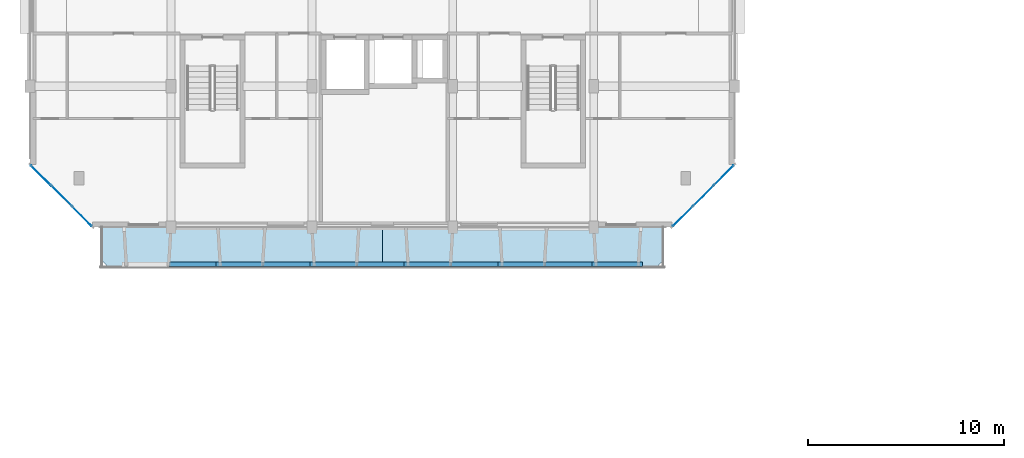
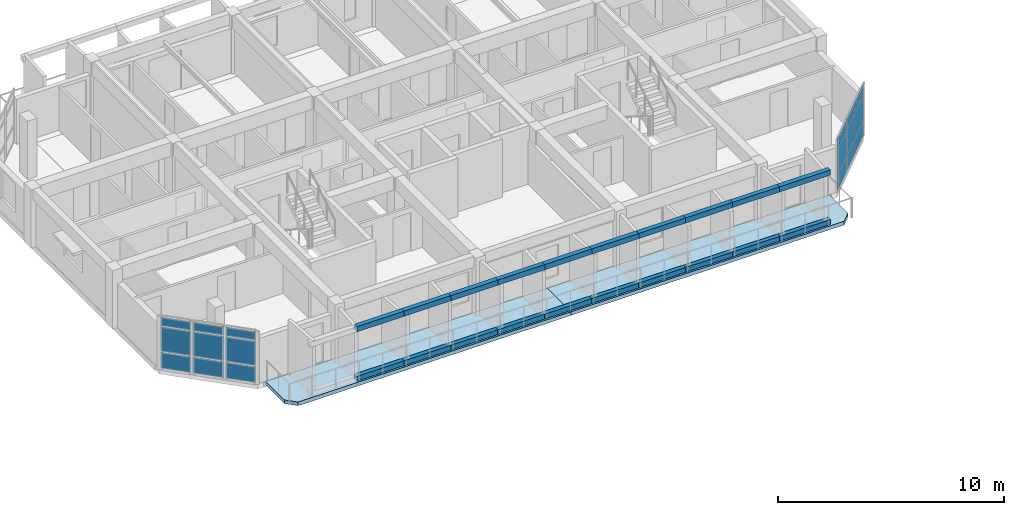
# One storey, part 19 of 64: 38 plates, 2 slabs, 2 elements without a shape of their own.
"""IFC4 building model written with IfcOpenShell, lengths in metres."""

from ifc_helpers import new_model, si_unit, direction, frame, origin, origin_2d, place, context, subcontext, project, spatial, polyline, rectangle, outline, extrude, material, layer, layer_set, type_object, element, aggregate, save


model = new_model("IFC4")

# Units and contexts
model_context = context("Model", 3, precision=1e-05, world=origin(), true_north=direction((0.0, 1.0)))
body_context = subcontext(model_context, "Body", "Model", "MODEL_VIEW")
ifc_project = project(units=[si_unit("LENGTHUNIT", "METRE"), si_unit("AREAUNIT", "SQUARE_METRE"), si_unit("VOLUMEUNIT", "CUBIC_METRE"), si_unit("PLANEANGLEUNIT", "RADIAN"), si_unit("MASSUNIT", "GRAM", prefix="KILO")], contexts=[model_context])

# Site, building, storey
site_placement = place(None, origin())
site = spatial("IfcSite", under=ifc_project, at=site_placement, CompositionType="ELEMENT")
building_placement = place(site_placement, origin())
building = spatial("IfcBuilding", under=site, at=building_placement, Name="Ochrevale Crest", CompositionType="ELEMENT")
storey_placement = place(building_placement, frame((0.0, 0.0, 8.699951171875)))
storey = spatial("IfcBuildingStorey", under=building, at=storey_placement, Name="L02", CompositionType="ELEMENT", Elevation=8.699951171875)

# Curtain wall, plates
ifc_material_1 = material(Name="Anodised aluminium 6063-T5", Category="aluminium")
ifc_layer_1 = layer(ifc_material_1, 0.14990234375)
ifc_layer_set_1 = layer_set([ifc_layer_1], Name="Anodised aluminium 6063-T5")
curtain_wall_type_1 = type_object("IfcCurtainWallType", Name="CW-WG-420x285", PredefinedType="NOTDEFINED", material=ifc_layer_set_1)
curtain_wall_1_placement = place(storey_placement, origin())
curtain_wall_1 = element("IfcCurtainWall", 1, at=curtain_wall_1_placement, inside=storey, type_object=curtain_wall_type_1, Name="Block B L02 chamfered corner wintergarden curtain wall 2", PredefinedType="NOTDEFINED")
ifc_material_2 = material(Name="Double-glazed low-E insulated glass unit", Category="glass")
ifc_layer_2 = layer(ifc_material_2, 0.028076171875)
ifc_layer_set_2 = layer_set([ifc_layer_2], Name="Double-glazed low-E insulated glass unit")
plate_type_1 = type_object("IfcPlateType", Name="CW-PNL-IGU28", PredefinedType="CURTAIN_PANEL", material=ifc_layer_set_2)
plate_1_placement = place(storey_placement, frame((33.3466796875, 72.546630859375, 0.06005859375), z_axis=(0.0, 0.0, 1.0), x_axis=(0.707106781187, 0.707106781187, 0.0)))
plate_1 = element("IfcPlate", 2, at=plate_1_placement, type_object=plate_type_1, Name="CW22 panel 1.1", PredefinedType="CURTAIN_PANEL", context=body_context, shape_type="SweptSolid", body=[
    extrude(rectangle(XDim=1.39599609375, YDim=0.028076171875, at=origin_2d()), origin(), (0.0, 0.0, 1.0), 0.860107421875),
])
plate_2_placement = place(storey_placement, frame((33.3466796875, 72.546630859375, 0.97998046875), z_axis=(0.0, 0.0, 1.0), x_axis=(0.707106781187, 0.707106781187, 0.0)))
plate_2 = element("IfcPlate", 3, at=plate_2_placement, type_object=plate_type_1, Name="CW22 panel 1.2", PredefinedType="CURTAIN_PANEL", context=body_context, shape_type="SweptSolid", body=[
    extrude(rectangle(XDim=1.39599609375, YDim=0.028076171875, at=origin_2d()), origin(), (0.0, 0.0, 1.0), 1.31494140625),
])
plate_3_placement = place(storey_placement, frame((33.3466796875, 72.546630859375, 2.35498046875), z_axis=(0.0, 0.0, 1.0), x_axis=(0.707106781187, 0.707106781187, 0.0)))
plate_3 = element("IfcPlate", 4, at=plate_3_placement, type_object=plate_type_1, Name="CW22 panel 1.3", PredefinedType="CURTAIN_PANEL", context=body_context, shape_type="SweptSolid", body=[
    extrude(rectangle(XDim=1.39599609375, YDim=0.028076171875, at=origin_2d()), origin(), (0.0, 0.0, 1.0), 0.4599609375),
])
plate_4_placement = place(storey_placement, frame((34.39990234375, 73.60009765625, 0.06005859375), z_axis=(0.0, 0.0, 1.0), x_axis=(0.707106781187, 0.707106781187, 0.0)))
plate_4 = element("IfcPlate", 5, at=plate_4_placement, type_object=plate_type_1, Name="CW22 panel 2.1", PredefinedType="CURTAIN_PANEL", context=body_context, shape_type="SweptSolid", body=[
    extrude(rectangle(XDim=1.43359375, YDim=0.028076171875, at=origin_2d()), origin(), (0.0, 0.0, 1.0), 0.860107421875),
])
plate_5_placement = place(storey_placement, frame((34.39990234375, 73.60009765625, 0.97998046875), z_axis=(0.0, 0.0, 1.0), x_axis=(0.707106781187, 0.707106781187, 0.0)))
plate_5 = element("IfcPlate", 6, at=plate_5_placement, type_object=plate_type_1, Name="CW22 panel 2.2", PredefinedType="CURTAIN_PANEL", context=body_context, shape_type="SweptSolid", body=[
    extrude(rectangle(XDim=1.43359375, YDim=0.028076171875, at=origin_2d()), origin(), (0.0, 0.0, 1.0), 1.31494140625),
])
plate_6_placement = place(storey_placement, frame((34.39990234375, 73.60009765625, 2.35498046875), z_axis=(0.0, 0.0, 1.0), x_axis=(0.707106781187, 0.707106781187, 0.0)))
plate_6 = element("IfcPlate", 7, at=plate_6_placement, type_object=plate_type_1, Name="CW22 panel 2.3", PredefinedType="CURTAIN_PANEL", context=body_context, shape_type="SweptSolid", body=[
    extrude(rectangle(XDim=1.43359375, YDim=0.028076171875, at=origin_2d()), origin(), (0.0, 0.0, 1.0), 0.4599609375),
])
plate_7_placement = place(storey_placement, frame((35.453369140625, 74.6533203125, 0.06005859375), z_axis=(0.0, 0.0, 1.0), x_axis=(0.707106781187, 0.707106781187, 0.0)))
plate_7 = element("IfcPlate", 8, at=plate_7_placement, type_object=plate_type_1, Name="CW22 panel 3.1", PredefinedType="CURTAIN_PANEL", context=body_context, shape_type="SweptSolid", body=[
    extrude(rectangle(XDim=1.39599609375, YDim=0.028076171875, at=origin_2d()), origin(), (0.0, 0.0, 1.0), 0.860107421875),
])
plate_8_placement = place(storey_placement, frame((35.453369140625, 74.6533203125, 0.97998046875), z_axis=(0.0, 0.0, 1.0), x_axis=(0.707106781187, 0.707106781187, 0.0)))
plate_8 = element("IfcPlate", 9, at=plate_8_placement, type_object=plate_type_1, Name="CW22 panel 3.2", PredefinedType="CURTAIN_PANEL", context=body_context, shape_type="SweptSolid", body=[
    extrude(rectangle(XDim=1.39599609375, YDim=0.028076171875, at=origin_2d()), origin(), (0.0, 0.0, 1.0), 1.31494140625),
])
plate_9_placement = place(storey_placement, frame((35.453369140625, 74.6533203125, 2.35498046875), z_axis=(0.0, 0.0, 1.0), x_axis=(0.707106781187, 0.707106781187, 0.0)))
plate_9 = element("IfcPlate", 10, at=plate_9_placement, type_object=plate_type_1, Name="CW22 panel 3.3", PredefinedType="CURTAIN_PANEL", context=body_context, shape_type="SweptSolid", body=[
    extrude(rectangle(XDim=1.39599609375, YDim=0.028076171875, at=origin_2d()), origin(), (0.0, 0.0, 1.0), 0.4599609375),
])
aggregate(curtain_wall_1, [plate_1, plate_2, plate_3, plate_4, plate_5, plate_6, plate_7, plate_8, plate_9])

ifc_layer_3 = layer(ifc_material_1, 0.14990234375)
ifc_layer_set_3 = layer_set([ifc_layer_3], Name="Anodised aluminium 6063-T5")
curtain_wall_type_2 = type_object("IfcCurtainWallType", Name="CW-WG-240x285", PredefinedType="NOTDEFINED", material=ifc_layer_set_3)
curtain_wall_2_placement = place(storey_placement, origin())
curtain_wall_2 = element("IfcCurtainWall", 11, at=curtain_wall_2_placement, inside=storey, type_object=curtain_wall_type_2, Name="Block B L02 chamfered corner wintergarden curtain wall 8", PredefinedType="NOTDEFINED")
plate_10_placement = place(storey_placement, frame((0.546630859375, 74.6533203125, 0.06005859375), z_axis=(0.0, 0.0, 1.0), x_axis=(0.707106781187, -0.707106781187, 0.0)))
plate_10 = element("IfcPlate", 12, at=plate_10_placement, type_object=plate_type_1, Name="CW15 panel 1.1", PredefinedType="CURTAIN_PANEL", context=body_context, shape_type="SweptSolid", body=[
    extrude(rectangle(XDim=1.39599609375, YDim=0.028076171875, at=origin_2d()), origin(), (0.0, 0.0, 1.0), 0.860107421875),
])
plate_11_placement = place(storey_placement, frame((0.546630859375, 74.6533203125, 0.97998046875), z_axis=(0.0, 0.0, 1.0), x_axis=(0.707106781187, -0.707106781187, 0.0)))
plate_11 = element("IfcPlate", 13, at=plate_11_placement, type_object=plate_type_1, Name="CW15 panel 1.2", PredefinedType="CURTAIN_PANEL", context=body_context, shape_type="SweptSolid", body=[
    extrude(rectangle(XDim=1.39599609375, YDim=0.028076171875, at=origin_2d()), origin(), (0.0, 0.0, 1.0), 1.31494140625),
])
plate_12_placement = place(storey_placement, frame((0.546630859375, 74.6533203125, 2.35498046875), z_axis=(0.0, 0.0, 1.0), x_axis=(0.707106781187, -0.707106781187, 0.0)))
plate_12 = element("IfcPlate", 14, at=plate_12_placement, type_object=plate_type_1, Name="CW15 panel 1.3", PredefinedType="CURTAIN_PANEL", context=body_context, shape_type="SweptSolid", body=[
    extrude(rectangle(XDim=1.39599609375, YDim=0.028076171875, at=origin_2d()), origin(), (0.0, 0.0, 1.0), 0.4599609375),
])
plate_13_placement = place(storey_placement, frame((1.60009765625, 73.60009765625, 0.06005859375), z_axis=(0.0, 0.0, 1.0), x_axis=(0.707106781187, -0.707106781187, 0.0)))
plate_13 = element("IfcPlate", 15, at=plate_13_placement, type_object=plate_type_1, Name="CW15 panel 2.1", PredefinedType="CURTAIN_PANEL", context=body_context, shape_type="SweptSolid", body=[
    extrude(rectangle(XDim=1.43359375, YDim=0.028076171875, at=origin_2d()), origin(), (0.0, 0.0, 1.0), 0.860107421875),
])
plate_14_placement = place(storey_placement, frame((1.60009765625, 73.60009765625, 0.97998046875), z_axis=(0.0, 0.0, 1.0), x_axis=(0.707106781187, -0.707106781187, 0.0)))
plate_14 = element("IfcPlate", 16, at=plate_14_placement, type_object=plate_type_1, Name="CW15 panel 2.2", PredefinedType="CURTAIN_PANEL", context=body_context, shape_type="SweptSolid", body=[
    extrude(rectangle(XDim=1.43359375, YDim=0.028076171875, at=origin_2d()), origin(), (0.0, 0.0, 1.0), 1.31494140625),
])
plate_15_placement = place(storey_placement, frame((1.60009765625, 73.60009765625, 2.35498046875), z_axis=(0.0, 0.0, 1.0), x_axis=(0.707106781187, -0.707106781187, 0.0)))
plate_15 = element("IfcPlate", 17, at=plate_15_placement, type_object=plate_type_1, Name="CW15 panel 2.3", PredefinedType="CURTAIN_PANEL", context=body_context, shape_type="SweptSolid", body=[
    extrude(rectangle(XDim=1.43359375, YDim=0.028076171875, at=origin_2d()), origin(), (0.0, 0.0, 1.0), 0.4599609375),
])
plate_16_placement = place(storey_placement, frame((2.6533203125, 72.546630859375, 0.06005859375), z_axis=(0.0, 0.0, 1.0), x_axis=(0.707106781187, -0.707106781187, 0.0)))
plate_16 = element("IfcPlate", 18, at=plate_16_placement, type_object=plate_type_1, Name="CW15 panel 3.1", PredefinedType="CURTAIN_PANEL", context=body_context, shape_type="SweptSolid", body=[
    extrude(rectangle(XDim=1.39599609375, YDim=0.028076171875, at=origin_2d()), origin(), (0.0, 0.0, 1.0), 0.860107421875),
])
plate_17_placement = place(storey_placement, frame((2.6533203125, 72.546630859375, 0.97998046875), z_axis=(0.0, 0.0, 1.0), x_axis=(0.707106781187, -0.707106781187, 0.0)))
plate_17 = element("IfcPlate", 19, at=plate_17_placement, type_object=plate_type_1, Name="CW15 panel 3.2", PredefinedType="CURTAIN_PANEL", context=body_context, shape_type="SweptSolid", body=[
    extrude(rectangle(XDim=1.39599609375, YDim=0.028076171875, at=origin_2d()), origin(), (0.0, 0.0, 1.0), 1.31494140625),
])
plate_18_placement = place(storey_placement, frame((2.6533203125, 72.546630859375, 2.35498046875), z_axis=(0.0, 0.0, 1.0), x_axis=(0.707106781187, -0.707106781187, 0.0)))
plate_18 = element("IfcPlate", 20, at=plate_18_placement, type_object=plate_type_1, Name="CW15 panel 3.3", PredefinedType="CURTAIN_PANEL", context=body_context, shape_type="SweptSolid", body=[
    extrude(rectangle(XDim=1.39599609375, YDim=0.028076171875, at=origin_2d()), origin(), (0.0, 0.0, 1.0), 0.4599609375),
])
aggregate(curtain_wall_2, [plate_10, plate_11, plate_12, plate_13, plate_14, plate_15, plate_16, plate_17, plate_18])

# Plates
ifc_material_3 = material(Name="Precast concrete C40/50", Category="concrete")
ifc_layer_4 = layer(ifc_material_3, 0.06005859375)
ifc_layer_set_4 = layer_set([ifc_layer_4], Name="Precast concrete C40/50")
plate_type_2 = type_object("IfcPlateType", Name="PLT-HC-HEAD-60", PredefinedType="USERDEFINED", material=ifc_layer_set_4)
for number, where, z_axis, x_axis, name in (
    (21, (8.39990234375, 70.10009765625, 2.669921875), (0.0, 0.0, 1.0), (1.0, 0.0, 0.0), "Block B L02 S honeycomb arched lintel fascia 2"),
    (22, (10.800048828125, 70.10009765625, 2.669921875), (0.0, 0.0, 1.0), (1.0, 0.0, 0.0), "Block B L02 S honeycomb arched lintel fascia 3"),
    (23, (13.199951171875, 70.10009765625, 2.669921875), (0.0, 0.0, 1.0), (1.0, 0.0, 0.0), "Block B L02 S honeycomb arched lintel fascia 4"),
    (24, (15.60009765625, 70.10009765625, 2.669921875), (0.0, 0.0, 1.0), (1.0, 0.0, 0.0), "Block B L02 S honeycomb arched lintel fascia 5"),
    (25, (18.0, 70.10009765625, 2.669921875), (0.0, 0.0, 1.0), (1.0, 0.0, 0.0), "Block B L02 S honeycomb arched lintel fascia 6"),
    (26, (20.39990234375, 70.10009765625, 2.669921875), (0.0, 0.0, 1.0), (1.0, 0.0, 0.0), "Block B L02 S honeycomb arched lintel fascia 7"),
    (27, (22.800048828125, 70.10009765625, 2.669921875), (0.0, 0.0, 1.0), (1.0, 0.0, 0.0), "Block B L02 S honeycomb arched lintel fascia 8"),
    (28, (25.199951171875, 70.10009765625, 2.669921875), (0.0, 0.0, 1.0), (1.0, 0.0, 0.0), "Block B L02 S honeycomb arched lintel fascia 9"),
    (29, (27.60009765625, 70.10009765625, 2.669921875), (0.0, 0.0, 1.0), (1.0, 0.0, 0.0), "Block B L02 S honeycomb arched lintel fascia 10"),
    (30, (30.0, 70.10009765625, 2.669921875), (0.0, 0.0, 1.0), (1.0, 0.0, 0.0), "Block B L02 S honeycomb arched lintel fascia 11"),
):
    element("IfcPlate", number, at=place(storey_placement, frame(where, z_axis=z_axis, x_axis=x_axis)), inside=storey, type_object=plate_type_2, Name=name, ObjectType="FACADE FASCIA PLATE", PredefinedType="USERDEFINED", context=body_context, shape_type="SweptSolid", body=[
        extrude(rectangle(XDim=2.60009765625, YDim=0.239990234375, at=origin_2d()), origin(), (0.0, 0.0, 1.0), 0.280029296875),
    ])
ifc_layer_5 = layer(ifc_material_3, 0.044921875)
ifc_layer_set_5 = layer_set([ifc_layer_5], Name="Precast concrete C40/50")
plate_type_3 = type_object("IfcPlateType", Name="PLT-HC-SILL-45", PredefinedType="USERDEFINED", material=ifc_layer_set_5)
for number, where, z_axis, x_axis, name in (
    (31, (8.39990234375, 70.10009765625, 0.0), (0.0, 0.0, 1.0), (1.0, 0.0, 0.0), "Block B L02 S honeycomb sill coping plate 2"),
    (32, (10.800048828125, 70.10009765625, 0.0), (0.0, 0.0, 1.0), (1.0, 0.0, 0.0), "Block B L02 S honeycomb sill coping plate 3"),
    (33, (13.199951171875, 70.10009765625, 0.0), (0.0, 0.0, 1.0), (1.0, 0.0, 0.0), "Block B L02 S honeycomb sill coping plate 4"),
    (34, (15.60009765625, 70.10009765625, 0.0), (0.0, 0.0, 1.0), (1.0, 0.0, 0.0), "Block B L02 S honeycomb sill coping plate 5"),
    (35, (18.0, 70.10009765625, 0.0), (0.0, 0.0, 1.0), (1.0, 0.0, 0.0), "Block B L02 S honeycomb sill coping plate 6"),
    (36, (20.39990234375, 70.10009765625, 0.0), (0.0, 0.0, 1.0), (1.0, 0.0, 0.0), "Block B L02 S honeycomb sill coping plate 7"),
    (37, (22.800048828125, 70.10009765625, 0.0), (0.0, 0.0, 1.0), (1.0, 0.0, 0.0), "Block B L02 S honeycomb sill coping plate 8"),
    (38, (25.199951171875, 70.10009765625, 0.0), (0.0, 0.0, 1.0), (1.0, 0.0, 0.0), "Block B L02 S honeycomb sill coping plate 9"),
    (39, (27.60009765625, 70.10009765625, 0.0), (0.0, 0.0, 1.0), (1.0, 0.0, 0.0), "Block B L02 S honeycomb sill coping plate 10"),
    (40, (30.0, 70.10009765625, 0.0), (0.0, 0.0, 1.0), (1.0, 0.0, 0.0), "Block B L02 S honeycomb sill coping plate 11"),
):
    element("IfcPlate", number, at=place(storey_placement, frame(where, z_axis=z_axis, x_axis=x_axis)), inside=storey, type_object=plate_type_3, Name=name, ObjectType="SILL COPING PLATE", PredefinedType="USERDEFINED", context=body_context, shape_type="SweptSolid", body=[
        extrude(rectangle(XDim=2.60009765625, YDim=0.219970703125, at=origin_2d()), origin(), (0.0, 0.0, 1.0), 0.260009765625),
    ])

# Slabs
ifc_layer_6 = layer(ifc_material_3, 0.199951171875)
ifc_layer_set_6 = layer_set([ifc_layer_6], Name="Precast concrete C40/50")
slab_type = type_object("IfcSlabType", Name="SLB-BAL-200", PredefinedType="FLOOR", material=ifc_layer_set_6)
slab_1_placement = place(storey_placement, frame((0.0, 0.0, -0.199951171875)))
element("IfcSlab", 41, at=slab_1_placement, inside=storey, type_object=slab_type, Name="Block B L02 S1 precast loggia balcony slab", PredefinedType="FLOOR", context=body_context, shape_type="SweptSolid", body=[
    extrude(outline(polyline([(4.050048828125, 69.89990234375), (18.0, 69.89990234375), (18.0, 72.0), (3.60009765625, 72.0), (3.60009765625, 70.35009765625), (4.050048828125, 69.89990234375)])), origin(), (0.0, 0.0, 1.0), 0.199951171875),
])
slab_2_placement = place(storey_placement, frame((0.0, 0.0, -0.199951171875)))
element("IfcSlab", 42, at=slab_2_placement, inside=storey, type_object=slab_type, Name="Block B L02 S2 precast loggia balcony slab", PredefinedType="FLOOR", context=body_context, shape_type="SweptSolid", body=[
    extrude(outline(polyline([(18.0, 69.89990234375), (31.949951171875, 69.89990234375), (32.39990234375, 70.35009765625), (32.39990234375, 72.0), (18.0, 72.0), (18.0, 69.89990234375)])), origin(), (0.0, 0.0, 1.0), 0.199951171875),
])

save(model, "model.ifc")
